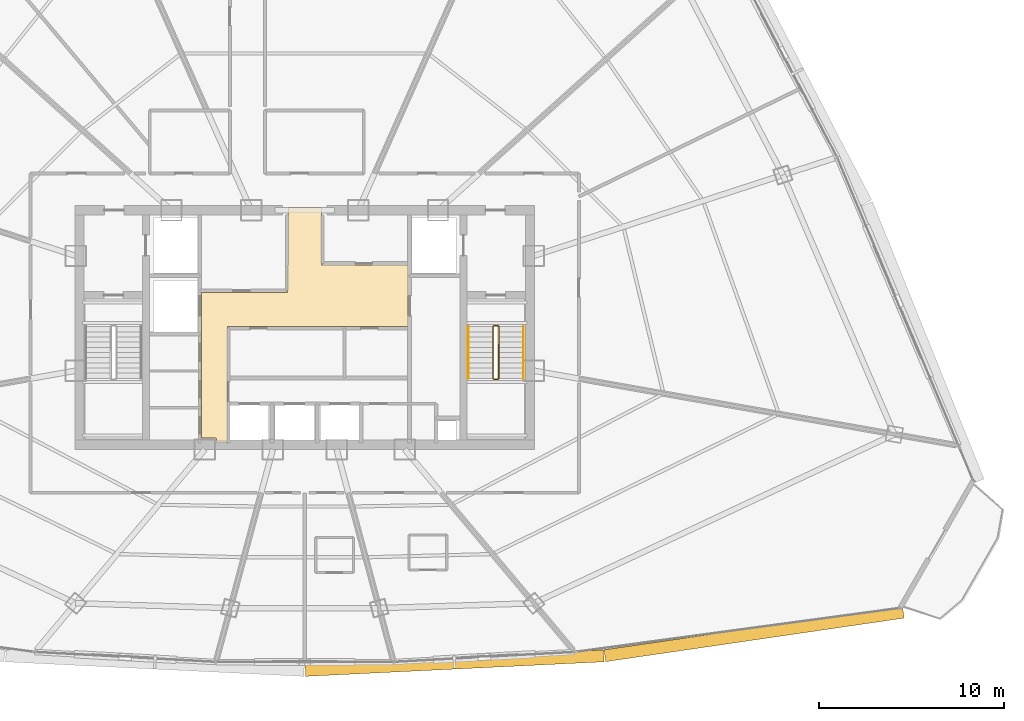
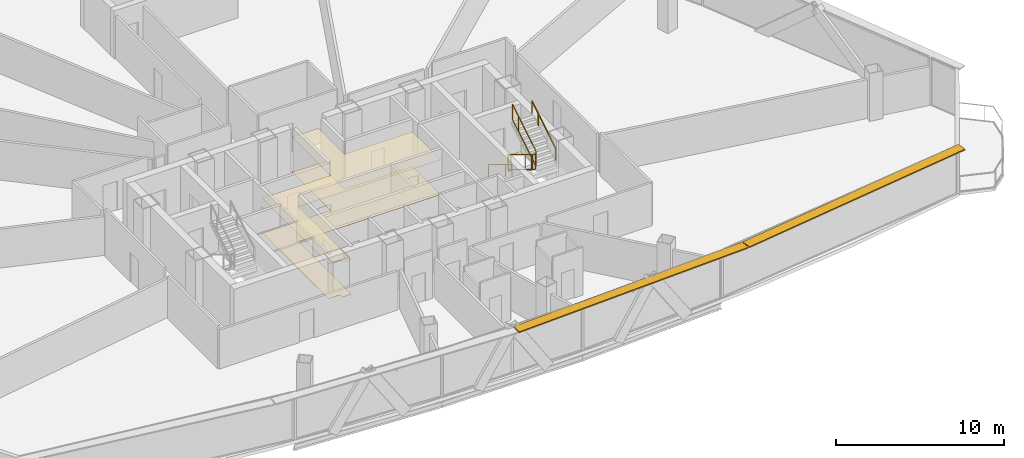
# One storey, part 32 of 34: 6 railings, 2 coverings, 2 shading devices.
"""IFC4 building model written with IfcOpenShell, lengths in metres."""

from ifc_helpers import new_model, si_unit, direction, frame, origin, origin_2d, place, context, subcontext, project, spatial, polyline, rectangle, outline, extrude, source, transform, mapped, material, layer, layer_set, type_object, element, save


model = new_model("IFC4")

# Units and contexts
model_context = context("Model", 3, precision=1e-05, world=origin(), true_north=direction((0.0, 1.0)))
body_context = subcontext(model_context, "Body", "Model", "MODEL_VIEW")
ifc_project = project(units=[si_unit("LENGTHUNIT", "METRE"), si_unit("AREAUNIT", "SQUARE_METRE"), si_unit("VOLUMEUNIT", "CUBIC_METRE"), si_unit("PLANEANGLEUNIT", "RADIAN"), si_unit("MASSUNIT", "GRAM", prefix="KILO"), si_unit("THERMODYNAMICTEMPERATUREUNIT", "KELVIN"), si_unit("POWERUNIT", "WATT")], contexts=[model_context])

# Site, building, storey
site_placement = place(None, origin())
site = spatial("IfcSite", under=ifc_project, at=site_placement, CompositionType="ELEMENT")
building_placement = place(site_placement, origin())
building = spatial("IfcBuilding", under=site, at=building_placement, Name="Yunzhuo Pagoda Commons", CompositionType="ELEMENT")
storey_placement = place(building_placement, frame((0.0, 0.0, 229.610107421875)))
storey = spatial("IfcBuildingStorey", under=building, at=storey_placement, Name="L57", CompositionType="ELEMENT", Elevation=229.610107421875)

# Coverings
ifc_material_1 = material(Name="Perforated gypsum acoustic ceiling tile")
ifc_layer_1 = layer(ifc_material_1, 0.030029296875)
ifc_layer_set_1 = layer_set([ifc_layer_1], Name="Perforated gypsum acoustic ceiling tile")
covering_type_1 = type_object("IfcCoveringType", Name="COV-CL2 Ceiling 30", PredefinedType="CEILING", material=ifc_layer_set_1)
covering_1_placement = place(storey_placement, frame((0.0, 0.0, 2.519775390625)))
element("IfcCovering", 1, at=covering_1_placement, inside=storey, type_object=covering_type_1, Name="L57 lift lobby acoustic ceiling", PredefinedType="CEILING", context=body_context, shape_type="SweptSolid", body=[
    extrude(outline(polyline([(42.39990234375, 35.75), (47.080078125, 35.75), (47.080078125, 37.25), (47.10009765625, 37.25), (47.10009765625, 40.35009765625), (48.89990234375, 40.35009765625), (48.89990234375, 37.25), (53.580078125, 37.25), (53.580078125, 33.89990234375), (43.820068359375, 33.89990234375), (43.820068359375, 27.60009765625), (43.207763671875, 27.60009765625), (43.207763671875, 27.85009765625), (43.201904296875, 27.864013671875), (43.187744140625, 27.8701171875), (42.39990234375, 27.8701171875), (42.39990234375, 33.89990234375), (42.39990234375, 35.75)])), origin(), (0.0, 0.0, 1.0), 0.030029296875),
])
ifc_material_2 = material(Name="Resilient acoustic studio flooring")
ifc_layer_2 = layer(ifc_material_2, 0.01806640625)
ifc_layer_set_2 = layer_set([ifc_layer_2], Name="Resilient acoustic studio flooring")
covering_type_2 = type_object("IfcCoveringType", Name="COV-FL3 Flooring 18", PredefinedType="FLOORING", material=ifc_layer_set_2)
covering_2_placement = place(storey_placement, origin())
element("IfcCovering", 2, at=covering_2_placement, inside=storey, type_object=covering_type_2, Name="L57 lift lobby flooring", PredefinedType="FLOORING", context=body_context, shape_type="SweptSolid", body=[
    extrude(outline(polyline([(42.39990234375, 35.75), (47.080078125, 35.75), (47.080078125, 37.25), (47.10009765625, 37.25), (47.10009765625, 40.35009765625), (48.89990234375, 40.35009765625), (48.89990234375, 37.25), (53.580078125, 37.25), (53.580078125, 33.89990234375), (43.820068359375, 33.89990234375), (43.820068359375, 27.60009765625), (43.207763671875, 27.60009765625), (43.207763671875, 27.85009765625), (43.201904296875, 27.864013671875), (43.187744140625, 27.8701171875), (42.39990234375, 27.8701171875), (42.39990234375, 33.89990234375), (42.39990234375, 35.75)])), origin(), (0.0, 0.0, 1.0), 0.017822265625),
])

# Railings
ifc_material_3 = material(Name="Anodized aluminium 6063-T6", Category="aluminium")
railing_type_1 = type_object("IfcRailingType", Name="GR-ST2 Stair Well Guardrail 1160", PredefinedType="GUARDRAIL", material=ifc_material_3)
railing_1_placement = place(storey_placement, frame((58.199951171875, 33.89990234375, 0.16943359375)))
element("IfcRailing", 3, at=railing_1_placement, inside=storey, type_object=railing_type_1, Name="L57 ST2 stair guard 1", PredefinedType="GUARDRAIL", context=body_context, shape_type="SweptSolid", body=[
    extrude(rectangle(XDim=0.048095703125, YDim=0.048095703125, at=origin_2d()), frame((0.0, 0.0, 1.1259765625), z_axis=(0.0, -0.855373106579, 0.518012401918), x_axis=(1.0, 0.0, 0.0)), (0.0, 0.0, 1.0), 3.273193359375),
    extrude(rectangle(XDim=0.048095703125, YDim=0.048095703125, at=origin_2d()), frame((0.0, 0.0, 0.02392578125), z_axis=(0.0, -0.855373106579, 0.518012401918), x_axis=(1.0, 0.0, 0.0)), (0.0, 0.0, 1.0), 3.273193359375),
    extrude(rectangle(XDim=0.0419921875, YDim=0.0419921875, at=origin_2d()), origin(), (0.0, 0.0, 1.0), 1.101806640625),
    extrude(rectangle(XDim=0.0419921875, YDim=0.0419921875, at=origin_2d()), frame((0.0, -2.052978515625, 1.2431640625)), (0.0, 0.0, 1.0), 1.101806640625),
    extrude(rectangle(XDim=0.0419921875, YDim=0.0419921875, at=origin_2d()), frame((0.0, -2.7998046875, 1.695556640625)), (0.0, 0.0, 1.0), 1.101806640625),
])
railing_2_placement = place(storey_placement, frame((58.25, 31.050048828125, 1.864990234375)))
element("IfcRailing", 4, at=railing_2_placement, inside=storey, type_object=railing_type_1, Name="L57 ST2 stair guard 2", PredefinedType="GUARDRAIL", context=body_context, shape_type="SweptSolid", body=[
    extrude(rectangle(XDim=0.048095703125, YDim=0.048095703125, at=origin_2d()), frame((0.0, 0.0, 1.1259765625), z_axis=(1.0, 0.0, 0.0), x_axis=(0.0, 1.0, 0.0)), (0.0, 0.0, 1.0), 0.199951171875),
    extrude(rectangle(XDim=0.048095703125, YDim=0.048095703125, at=origin_2d()), frame((0.0, 0.0, 0.02392578125), z_axis=(1.0, 0.0, 0.0), x_axis=(0.0, 1.0, 0.0)), (0.0, 0.0, 1.0), 0.199951171875),
    extrude(rectangle(XDim=0.0419921875, YDim=0.0419921875, at=origin_2d()), origin(), (0.0, 0.0, 1.0), 1.101806640625),
    extrude(rectangle(XDim=0.0419921875, YDim=0.0419921875, at=origin_2d()), frame((0.199951171875, 0.0, 0.0)), (0.0, 0.0, 1.0), 1.101806640625),
])
railing_3_placement = place(storey_placement, frame((58.5, 31.10009765625, 2.034423828125)))
element("IfcRailing", 5, at=railing_3_placement, inside=storey, type_object=railing_type_1, Name="L57 ST2 stair guard 3", PredefinedType="GUARDRAIL", context=body_context, shape_type="SweptSolid", body=[
    extrude(rectangle(XDim=0.048095703125, YDim=0.048095703125, at=origin_2d()), frame((0.0, 0.0, 1.1259765625), z_axis=(0.0, 0.855373106579, 0.518012401918), x_axis=(-1.0, 0.0, 0.0)), (0.0, 0.0, 1.0), 3.273193359375),
    extrude(rectangle(XDim=0.048095703125, YDim=0.048095703125, at=origin_2d()), frame((0.0, 0.0, 0.02392578125), z_axis=(0.0, 0.855373106579, 0.518012401918), x_axis=(-1.0, 0.0, 0.0)), (0.0, 0.0, 1.0), 3.273193359375),
    extrude(rectangle(XDim=0.0419921875, YDim=0.0419921875, at=origin_2d()), origin(), (0.0, 0.0, 1.0), 1.101806640625),
    extrude(rectangle(XDim=0.0419921875, YDim=0.0419921875, at=origin_2d()), frame((0.0, 2.052978515625, 1.2431640625)), (0.0, 0.0, 1.0), 1.101806640625),
    extrude(rectangle(XDim=0.0419921875, YDim=0.0419921875, at=origin_2d()), frame((0.0, 2.7998046875, 1.695556640625)), (0.0, 0.0, 1.0), 1.101806640625),
])
railing_4_placement = place(storey_placement, frame((58.25, 33.949951171875, 0.0)))
element("IfcRailing", 6, at=railing_4_placement, inside=storey, type_object=railing_type_1, Name="L57 ST2 stair guard 4", PredefinedType="GUARDRAIL", context=body_context, shape_type="SweptSolid", body=[
    extrude(rectangle(XDim=0.048095703125, YDim=0.048095703125, at=origin_2d()), frame((0.0, 0.0, 1.1259765625), z_axis=(1.0, 0.0, 0.0), x_axis=(0.0, 1.0, 0.0)), (0.0, 0.0, 1.0), 0.199951171875),
    extrude(rectangle(XDim=0.048095703125, YDim=0.048095703125, at=origin_2d()), frame((0.0, 0.0, 0.02392578125), z_axis=(1.0, 0.0, 0.0), x_axis=(0.0, 1.0, 0.0)), (0.0, 0.0, 1.0), 0.199951171875),
    extrude(rectangle(XDim=0.0419921875, YDim=0.0419921875, at=origin_2d()), origin(), (0.0, 0.0, 1.0), 1.101806640625),
    extrude(rectangle(XDim=0.0419921875, YDim=0.0419921875, at=origin_2d()), frame((0.199951171875, 0.0, 0.0)), (0.0, 0.0, 1.0), 1.101806640625),
])
railing_type_2 = type_object("IfcRailingType", Name="HR-ST2 Stair Handrail 900", PredefinedType="HANDRAIL", material=ifc_material_3)
railing_5_placement = place(storey_placement, frame((56.85009765625, 33.89990234375, 0.16943359375)))
element("IfcRailing", 7, at=railing_5_placement, inside=storey, type_object=railing_type_2, Name="L57 ST2 stair handrail 1", PredefinedType="HANDRAIL", context=body_context, shape_type="SweptSolid", body=[
    extrude(rectangle(XDim=0.048095703125, YDim=0.048095703125, at=origin_2d()), frame((0.0, 0.0, 0.8759765625), z_axis=(0.0, -0.855373106579, 0.518012401918), x_axis=(1.0, 0.0, 0.0)), (0.0, 0.0, 1.0), 3.273193359375),
    extrude(rectangle(XDim=0.0419921875, YDim=0.0419921875, at=origin_2d()), origin(), (0.0, 0.0, 1.0), 0.851806640625),
    extrude(rectangle(XDim=0.0419921875, YDim=0.0419921875, at=origin_2d()), frame((0.0, -2.052978515625, 1.2431640625)), (0.0, 0.0, 1.0), 0.851806640625),
    extrude(rectangle(XDim=0.0419921875, YDim=0.0419921875, at=origin_2d()), frame((0.0, -2.7998046875, 1.695556640625)), (0.0, 0.0, 1.0), 0.851806640625),
])
railing_6_placement = place(storey_placement, frame((59.85009765625, 31.10009765625, 2.034423828125)))
element("IfcRailing", 8, at=railing_6_placement, inside=storey, type_object=railing_type_2, Name="L57 ST2 stair handrail 2", PredefinedType="HANDRAIL", context=body_context, shape_type="SweptSolid", body=[
    extrude(rectangle(XDim=0.048095703125, YDim=0.048095703125, at=origin_2d()), frame((0.0, 0.0, 0.8759765625), z_axis=(0.0, 0.855373106579, 0.518012401918), x_axis=(-1.0, 0.0, 0.0)), (0.0, 0.0, 1.0), 3.273193359375),
    extrude(rectangle(XDim=0.0419921875, YDim=0.0419921875, at=origin_2d()), origin(), (0.0, 0.0, 1.0), 0.851806640625),
    extrude(rectangle(XDim=0.0419921875, YDim=0.0419921875, at=origin_2d()), frame((0.0, 2.052978515625, 1.2431640625)), (0.0, 0.0, 1.0), 0.851806640625),
    extrude(rectangle(XDim=0.0419921875, YDim=0.0419921875, at=origin_2d()), frame((0.0, 2.7998046875, 1.695556640625)), (0.0, 0.0, 1.0), 0.851806640625),
])

# Shading devices
ifc_layer_3 = layer(ifc_material_3, 0.080078125)
ifc_layer_set_3 = layer_set([ifc_layer_3], Name="Anodized aluminium 6063-T6")
shading_device_type = type_object("IfcShadingDeviceType", Name="SH-SUN1 Pagoda Horizontal Sunshade Eave 650", PredefinedType="USERDEFINED", material=ifc_layer_set_3)
shared_shape_1 = source(origin(), body_context, "Body", "SweptSolid", [
    extrude(rectangle(XDim=16.335693359375, YDim=0.64990234375, at=origin_2d()), origin(), (0.0, 0.0, 1.0), 0.080078125),
])
shading_device_1_placement = place(storey_placement, frame((72.34033203125, 17.252685546875, 3.389892578125), z_axis=(0.0, 0.0, 1.0), x_axis=(0.989510666697, 0.144459823108, 0.0)))
element("IfcShadingDevice", 9, at=shading_device_1_placement, inside=storey, type_object=shading_device_type, Name="L57 horizontal pagoda sunshade eave F1.4", ObjectType="SUNSHADE", PredefinedType="USERDEFINED", context=body_context, shape_type="MappedRepresentation", body=[
    mapped(shared_shape_1, transform((0.0, 0.0, 0.0), scale=1.0)),
])
shared_shape_2 = source(origin(), body_context, "Body", "SweptSolid", [
    extrude(rectangle(XDim=16.182861328125, YDim=0.64990234375, at=origin_2d()), origin(), (0.0, 0.0, 1.0), 0.080078125),
])
shading_device_2_placement = place(storey_placement, frame((56.113525390625, 15.673583984375, 3.389892578125), z_axis=(0.0, 0.0, 1.0), x_axis=(0.998818043775, 0.04860571396, 0.0)))
element("IfcShadingDevice", 10, at=shading_device_2_placement, inside=storey, type_object=shading_device_type, Name="L57 horizontal pagoda sunshade eave F1.3", ObjectType="SUNSHADE", PredefinedType="USERDEFINED", context=body_context, shape_type="MappedRepresentation", body=[
    mapped(shared_shape_2, transform((0.0, 0.0, 0.0), scale=1.0)),
])

save(model, "model.ifc")
